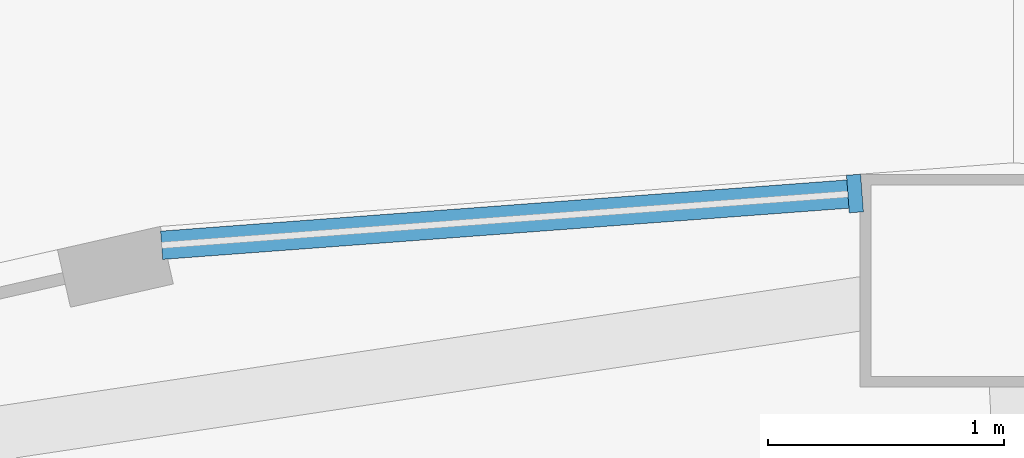
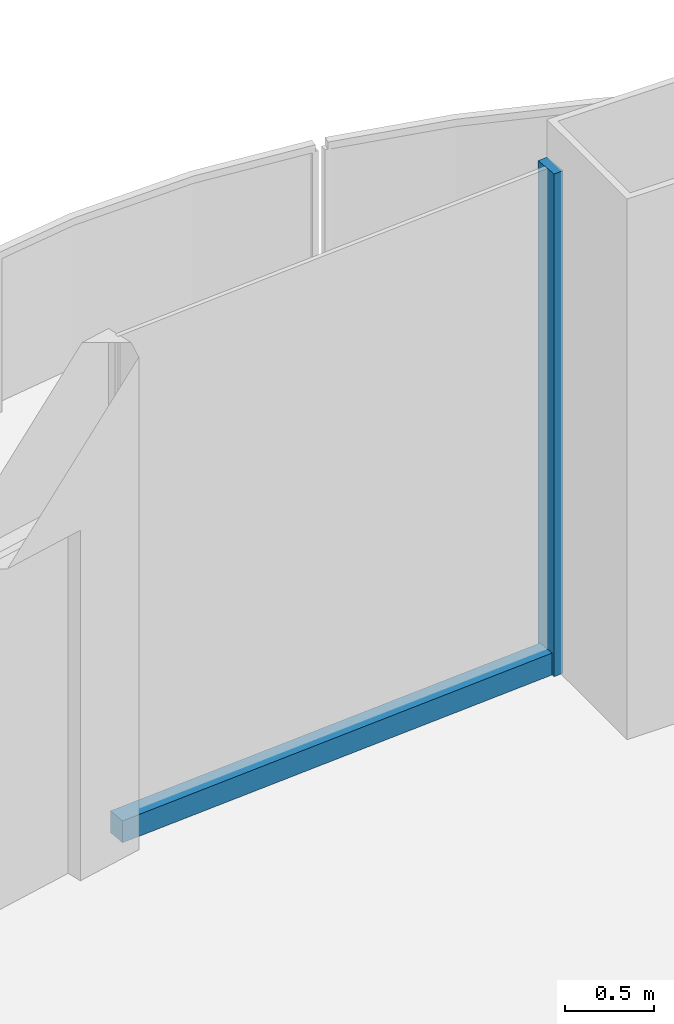
# One storey, part 12 of 24: 2 members, 1 element without a shape of its own.
"""IFC4 building model written with IfcOpenShell, lengths in metres."""

from ifc_helpers import new_model, si_unit, direction, frame, origin, origin_2d, place, context, subcontext, project, spatial, rectangle, extrude, material, layer, layer_set, material_profile, profile_set, type_object, element, aggregate, save


model = new_model("IFC4")

# Units and contexts
model_context = context("Model", 3, precision=1e-05, world=origin(), true_north=direction((0.0, 1.0)))
body_context = subcontext(model_context, "Body", "Model", "MODEL_VIEW")
ifc_project = project(units=[si_unit("LENGTHUNIT", "METRE"), si_unit("AREAUNIT", "SQUARE_METRE"), si_unit("VOLUMEUNIT", "CUBIC_METRE"), si_unit("PLANEANGLEUNIT", "RADIAN"), si_unit("MASSUNIT", "GRAM", prefix="KILO")], contexts=[model_context])

# Site, building, storey
site_placement = place(None, origin())
site = spatial("IfcSite", under=ifc_project, at=site_placement, CompositionType="ELEMENT")
building_placement = place(site_placement, origin())
building = spatial("IfcBuilding", under=site, at=building_placement, Name="Nagisa Residences", CompositionType="ELEMENT")
storey_placement = place(building_placement, frame((0.0, 0.0, 102.89990234375)))
storey = spatial("IfcBuildingStorey", under=building, at=storey_placement, Name="L25", CompositionType="ELEMENT", Elevation=102.89990234375)

# Curtain wall, members
ifc_material_1 = material(Name="Concrete-coloured aluminium curtain wall system", Category="concrete")
ifc_layer = layer(ifc_material_1, 0.159912109375)
ifc_layer_set = layer_set([ifc_layer], Name="CW1 CURTAIN WALL")
curtain_wall_type = type_object("IfcCurtainWallType", Name="CW1 CURTAIN WALL", PredefinedType="NOTDEFINED", material=ifc_layer_set)
curtain_wall_placement = place(storey_placement, origin())
curtain_wall = element("IfcCurtainWall", 1, at=curtain_wall_placement, inside=storey, type_object=curtain_wall_type, Name="cw:CW1:L25:12", PredefinedType="NOTDEFINED")
ifc_material_2 = material(Name="Concrete-coloured aluminium", Category="concrete")
ifc_material_profile_1 = material_profile(ifc_material_2, rectangle(XDim=0.159912109375, YDim=0.06005859375, at=origin_2d()), Name="CW1 MULLION 160x60")
ifc_profile_set_1 = profile_set([ifc_material_profile_1], Name="Concrete-coloured aluminium")
member_type_1 = type_object("IfcMemberType", Name="CW1 MULLION 160x60", PredefinedType="MULLION", material=ifc_profile_set_1)
member_1_placement = place(storey_placement, frame((-2.47216796875, 34.50244140625, 0.0), z_axis=(0.0, 0.0, 1.0), x_axis=(0.074377355493, -0.997230168512, 0.0)))
member_1 = element("IfcMember", 2, at=member_1_placement, type_object=member_type_1, Name="CW1 mullion", PredefinedType="MULLION", context=body_context, shape_type="SweptSolid", body=[
    extrude(rectangle(XDim=0.159912109375, YDim=0.06005859375, at=origin_2d()), origin(), (0.0, 0.0, 1.0), 3.440185546875),
])
ifc_material_3 = material(Name="Concrete-coloured aluminium", Category="concrete")
ifc_material_profile_2 = material_profile(ifc_material_3, rectangle(XDim=0.1201171875, YDim=0.14990234375, at=origin_2d()), Name="CW1 TRANSOM 120x150")
ifc_profile_set_2 = profile_set([ifc_material_profile_2], Name="Concrete-coloured aluminium")
member_type_2 = type_object("IfcMemberType", Name="CW1 TRANSOM 120x150", PredefinedType="USERDEFINED", material=ifc_profile_set_2)
member_2_placement = place(storey_placement, frame((-2.442138671875, 34.504638671875, 0.0751953125), z_axis=(-0.997226174467, -0.074430887117, 0.0), x_axis=(0.074430887117, -0.997226174467, 0.0)))
member_2 = element("IfcMember", 3, at=member_2_placement, type_object=member_type_2, Name="CW1 transom", ObjectType="TRANSOM", PredefinedType="USERDEFINED", context=body_context, shape_type="SweptSolid", body=[
    extrude(rectangle(XDim=0.1201171875, YDim=0.14990234375, at=origin_2d()), origin(), (0.0, 0.0, 1.0), 2.97509765625),
])
aggregate(curtain_wall, [member_1, member_2])

save(model, "model.ifc")
